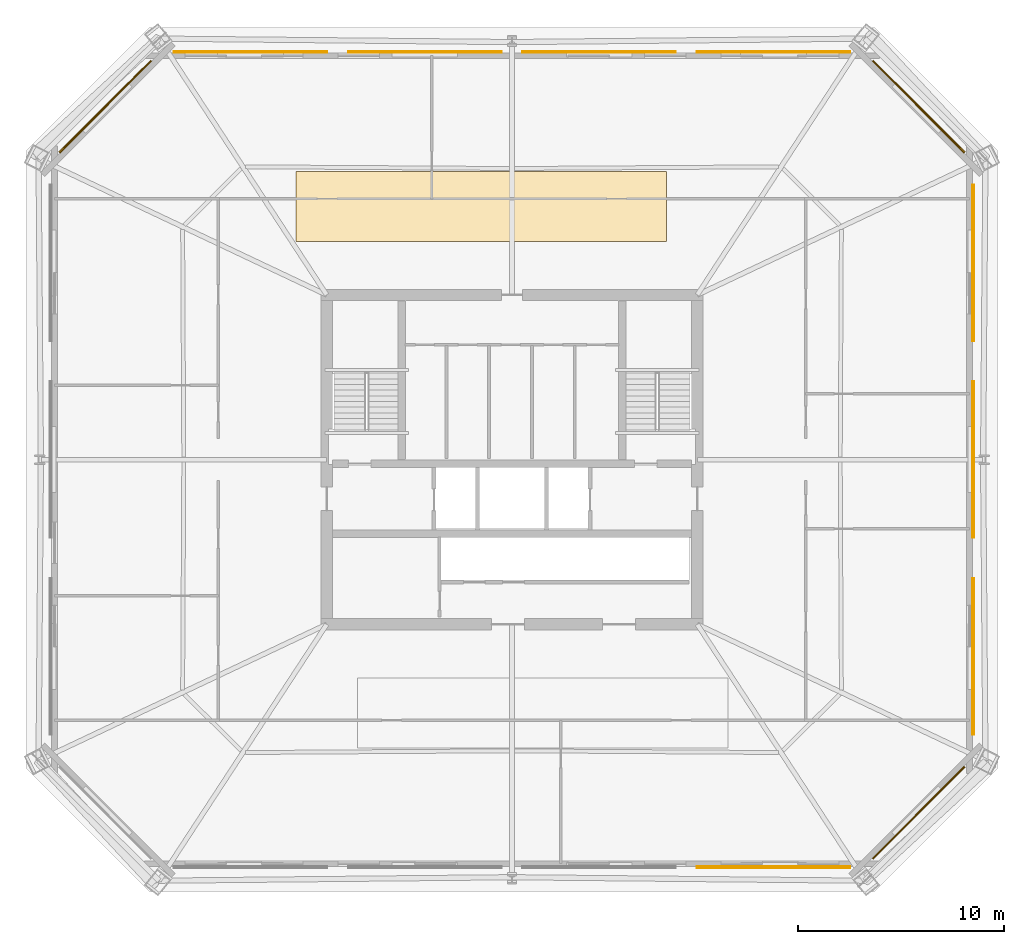
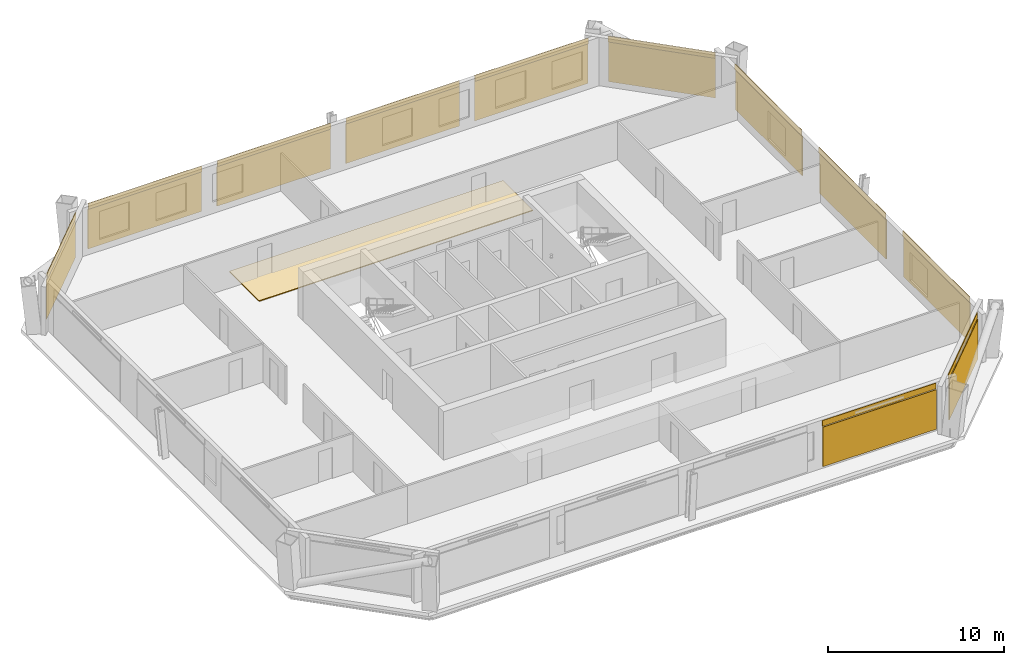
# One storey, part 7 of 7: 12 coverings, 11 shading devices.
"""IFC4 building model written with IfcOpenShell, lengths in metres."""

import ifcopenshell
import ifcopenshell.guid

model = None  # the IFC model being written
_history = None  # IfcOwnerHistory: only IFC2X3 demands one
_inside = {}  # id of a spatial element -> (the spatial element, [elements in it])
_under = {}  # id of a project, library or spatial element -> (it, [spatial elements below it])
_declared = {}  # id of a project -> (the project, [libraries it declares])
_typed = {}  # id of a type object -> (the type object, [elements of that type])
_made_of = {}  # id of a material, layer set ... -> (it, [elements and type objects made of it])


def new_model(schema):
    """Start an empty IFC model of exactly this schema.

    Asked for "IFC4X3", IfcOpenShell would pick the latest addendum, in which some entities
    have other attributes; the version numbers below select the first issue.
    IFC2X3 requires an IfcOwnerHistory on every rooted entity: one is made here for all.
    """
    global model, _history
    if schema == "IFC4X3":
        model = ifcopenshell.file(schema_version=(4, 3, 0, 0))
    else:
        model = ifcopenshell.file(schema=schema)
    _inside.clear()
    _under.clear()
    _declared.clear()
    _typed.clear()
    _made_of.clear()
    _history = None
    if model.schema == "IFC2X3":
        org = make("IfcOrganization", Name="unknown")
        user = make(
            "IfcPersonAndOrganization",
            ThePerson=make("IfcPerson", FamilyName="unknown"),
            TheOrganization=org,
        )
        app = make(
            "IfcApplication",
            ApplicationDeveloper=org,
            Version="unknown",
            ApplicationFullName="unknown",
            ApplicationIdentifier="unknown",
        )
        _history = make(
            "IfcOwnerHistory",
            OwningUser=user,
            OwningApplication=app,
            ChangeAction="ADDED",
            CreationDate=0,
        )
    return model


def make(cls, **values):
    """One entity of the class cls with the attributes given. An attribute that is None is left unset."""
    return model.create_entity(
        cls, **{name: value for name, value in values.items() if value is not None}
    )


def rooted(cls, **values):
    """An entity with a GlobalId (a new one), such as an element, a storey or a relation."""
    return make(cls, GlobalId=ifcopenshell.guid.new(), OwnerHistory=_history, **values)


def si_unit(unit_type, name, prefix=None):
    """IfcSIUnit, for example si_unit("LENGTHUNIT", "METRE", prefix="MILLI")."""
    return make("IfcSIUnit", UnitType=unit_type, Prefix=prefix, Name=name)


def assignment(units):
    """IfcUnitAssignment: the units of a project."""
    return None if units is None else make("IfcUnitAssignment", Units=units)


def point(xyz):
    """IfcCartesianPoint."""
    return None if xyz is None else make("IfcCartesianPoint", Coordinates=xyz)


def direction(xyz):
    """IfcDirection."""
    return None if xyz is None else make("IfcDirection", DirectionRatios=xyz)


def frame(location, z_axis=None, x_axis=None):
    """IfcAxis2Placement3D, a coordinate frame: its origin and axes. An axis left out is left unset."""
    return make(
        "IfcAxis2Placement3D",
        Location=point(location),
        Axis=direction(z_axis),
        RefDirection=direction(x_axis),
    )


def frame_2d(location, x_axis=None):
    """IfcAxis2Placement2D, a coordinate frame in the plane: its origin and x axis."""
    return make(
        "IfcAxis2Placement2D", Location=point(location), RefDirection=direction(x_axis)
    )


def origin():
    """The frame at (0, 0, 0) with its axes left unset."""
    return frame((0.0, 0.0, 0.0))


def origin_2d():
    """The frame at (0, 0) in the plane with its x axis left unset."""
    return frame_2d((0.0, 0.0))


def place(relative_to, where):
    """IfcLocalPlacement: puts the frame where relative to a parent placement (None: the world)."""
    return make(
        "IfcLocalPlacement", PlacementRelTo=relative_to, RelativePlacement=where
    )


def context(
    kind, dimensions, precision=None, world=None, true_north=None, identifier=None
):
    """IfcGeometricRepresentationContext, for example the 3D "Model" context."""
    return make(
        "IfcGeometricRepresentationContext",
        ContextIdentifier=identifier,
        ContextType=kind,
        CoordinateSpaceDimension=dimensions,
        Precision=precision,
        WorldCoordinateSystem=world,
        TrueNorth=true_north,
    )


def subcontext(parent, identifier, kind, view, scale=None):
    """IfcGeometricRepresentationSubContext, for example "Body" below "Model"."""
    return make(
        "IfcGeometricRepresentationSubContext",
        ContextIdentifier=identifier,
        ContextType=kind,
        ParentContext=parent,
        TargetScale=scale,
        TargetView=view,
    )


def project(units=None, contexts=None):
    """IfcProject with its units and contexts."""
    return rooted(
        "IfcProject",
        Name="project",
        RepresentationContexts=contexts,
        UnitsInContext=assignment(units),
    )


def spatial(cls, under=None, at=None, **own):
    """A site, building, storey or space (cls), placed at a placement, below another one or the project."""
    s = rooted(cls, ObjectPlacement=at, **own)
    if under is not None:
        _under.setdefault(under.id(), (under, []))[1].append(s)
    return s


def polyline(points):
    """IfcPolyline through the points."""
    return make("IfcPolyline", Points=[point(p) for p in points])


def profile(cls, at=None, kind="AREA", **sizes):
    """A parametric profile (cls). Its sizes go by their IFC names, for example OverallWidth=200.0."""
    return make(cls, ProfileType=kind, Position=at, **sizes)


def rectangle(**sizes):
    """IfcRectangleProfileDef."""
    return profile("IfcRectangleProfileDef", **sizes)


def outline(outer, holes=None, kind="AREA"):
    """IfcArbitraryClosedProfileDef: a profile drawn as a closed curve; with holes, ...WithVoids."""
    if holes is None:
        return make("IfcArbitraryClosedProfileDef", ProfileType=kind, OuterCurve=outer)
    return make(
        "IfcArbitraryProfileDefWithVoids",
        ProfileType=kind,
        OuterCurve=outer,
        InnerCurves=holes,
    )


def extrude(swept, where, along, depth):
    """IfcExtrudedAreaSolid: the profile swept, set in the frame where, extruded along a direction by depth."""
    return make(
        "IfcExtrudedAreaSolid",
        SweptArea=swept,
        Position=where,
        ExtrudedDirection=direction(along),
        Depth=depth,
    )


def shape(context_of_items, identifier, shape_type, items):
    """IfcShapeRepresentation: the items that make up one representation, for example the "Body"."""
    return make(
        "IfcShapeRepresentation",
        ContextOfItems=context_of_items,
        RepresentationIdentifier=identifier,
        RepresentationType=shape_type,
        Items=items,
    )


def material(Name=None, Category=None):
    """IfcMaterial."""
    return make("IfcMaterial", Name=Name, Category=Category)


def layer(
    of_material, thickness, ventilated=None, Name=None, Category=None, Priority=None
):
    """IfcMaterialLayer: one layer of a wall or slab, of a material (None: an air gap)."""
    return make(
        "IfcMaterialLayer",
        Material=of_material,
        LayerThickness=thickness,
        IsVentilated=ventilated,
        Name=Name,
        Category=Category,
        Priority=Priority,
    )


def layer_set(layers, Name=None):
    """IfcMaterialLayerSet."""
    return make("IfcMaterialLayerSet", MaterialLayers=layers, LayerSetName=Name)


def made_of(thing, what):
    """Note that an element or type object is made of a material, layer set ...; save() writes the relation."""
    if what is not None:
        _made_of.setdefault(what.id(), (what, []))[1].append(thing)
    return thing


def type_object(cls, material=None, **own):
    """A type object (cls), such as IfcWallType, which elements share."""
    return made_of(rooted(cls, **own), material)


def element(
    cls,
    number,
    at=None,
    inside=None,
    cuts=None,
    type_object=None,
    material=None,
    context=None,
    identifier="Body",
    shape_type=None,
    held_by="IfcProductDefinitionShape",
    body=None,
    shapes=None,
    **own,
):
    """One element of the class cls, such as IfcWall. Its Tag is "e" and its number.

    at: its placement. inside: the storey or other place that contains it. cuts: it is an
    opening in that element (IfcRelVoidsElement). A single representation is given by context,
    identifier, shape_type and body (its items); several are given by shapes. held_by: the class
    of the entity that holds the representations. save() writes the other relations.
    """
    e = rooted(cls, Tag="e%d" % number, ObjectPlacement=at, **own)
    if body is not None:
        shapes = [shape(context, identifier, shape_type, body)]
    if shapes is not None:
        e.Representation = make(held_by, Representations=shapes)
    if inside is not None:
        _inside.setdefault(inside.id(), (inside, []))[1].append(e)
    if cuts is not None:
        rooted(
            "IfcRelVoidsElement", RelatingBuildingElement=cuts, RelatedOpeningElement=e
        )
    if type_object is not None:
        _typed.setdefault(type_object.id(), (type_object, []))[1].append(e)
    return made_of(e, material)


def aggregate(whole, parts):
    """IfcRelAggregates: a whole, such as a stair, and the parts it consists of."""
    return rooted("IfcRelAggregates", RelatingObject=whole, RelatedObjects=parts)


def save(model, path):
    """Write the relations noted so far, then the file.

    IfcRelAggregates (storeys below a building ...), IfcRelContainedInSpatialStructure (elements
    in a storey), IfcRelDefinesByType, IfcRelAssociatesMaterial and IfcRelDeclares: one each for
    every whole, place, type object, material and project.
    """
    for whole, parts in _under.values():
        aggregate(whole, parts)
    for where, things in _inside.values():
        rooted(
            "IfcRelContainedInSpatialStructure",
            RelatedElements=things,
            RelatingStructure=where,
        )
    for kind, things in _typed.values():
        rooted("IfcRelDefinesByType", RelatedObjects=things, RelatingType=kind)
    for what, things in _made_of.values():
        rooted("IfcRelAssociatesMaterial", RelatedObjects=things, RelatingMaterial=what)
    for by, libraries in _declared.values():
        rooted("IfcRelDeclares", RelatingContext=by, RelatedDefinitions=libraries)
    model.write(path)


model = new_model("IFC4")

# Units and contexts
model_context = context("Model", 3, precision=1e-05, world=origin(), true_north=direction((0.0, 1.0)))
body_context = subcontext(model_context, "Body", "Model", "MODEL_VIEW")
ifc_project = project(units=[si_unit("LENGTHUNIT", "METRE"), si_unit("AREAUNIT", "SQUARE_METRE"), si_unit("VOLUMEUNIT", "CUBIC_METRE"), si_unit("PLANEANGLEUNIT", "RADIAN"), si_unit("MASSUNIT", "GRAM", prefix="KILO")], contexts=[model_context])

# Site, building, storey
site_placement = place(None, origin())
site = spatial("IfcSite", under=ifc_project, at=site_placement, CompositionType="ELEMENT")
building_placement = place(site_placement, origin())
building = spatial("IfcBuilding", under=site, at=building_placement, Name="Caelvoria Tower", CompositionType="ELEMENT")
storey_placement = place(building_placement, frame((0.0, 0.0, 124.0)))
storey = spatial("IfcBuildingStorey", under=building, at=storey_placement, Name="L32", CompositionType="ELEMENT", Elevation=124.0)

# Coverings
ifc_material_1 = material(Name="Perforated Architectural Bronze Cladding Screen", Category="bronze")
ifc_layer_1 = layer(ifc_material_1, 0.0400390625, Name="Perforated Architectural Bronze Cladding Screen")
ifc_layer_set_1 = layer_set([ifc_layer_1], Name="Perforated Bronze Louvre Cladding Band 40 - Perforated Architectural Bronze Cladding Screen")
covering_type_1 = type_object("IfcCoveringType", Name="Perforated Bronze Louvre Cladding Band 40", PredefinedType="CLADDING", material=ifc_layer_set_1)
covering_1_placement = place(storey_placement, frame((58.705078125, 12.22802734375, 2.93994140625), z_axis=(0.0, 0.0, 1.0), x_axis=(1.0, 0.0, 0.0)))
element("IfcCovering", 1, at=covering_1_placement, inside=storey, type_object=covering_type_1, Name="Perforated Bronze Screen Band L32-E0-03", PredefinedType="CLADDING", context=body_context, shape_type="SweptSolid", body=[
    extrude(rectangle(XDim=7.45361328125, YDim=0.0400390625, at=origin_2d()), origin(), (0.0, 0.0, 1.0), 0.39990234375),
])
covering_2_placement = place(storey_placement, frame((65.731689453125, 14.868408203125, 2.93994140625), z_axis=(0.0, 0.0, 1.0), x_axis=(0.707106781187, 0.707106781187, 0.0)))
element("IfcCovering", 2, at=covering_2_placement, inside=storey, type_object=covering_type_1, Name="Perforated Bronze Screen Band L32-E1-00", PredefinedType="CLADDING", context=body_context, shape_type="SweptSolid", body=[
    extrude(rectangle(XDim=6.305419921875, YDim=0.0400390625, at=origin_2d()), origin(), (0.0, 0.0, 1.0), 0.39990234375),
])
for number, where, z_axis, x_axis, name in (
    (3, (68.3720703125, 22.43994140625, 2.93994140625), (0.0, 0.0, 1.0), (0.0, 1.0, 0.0), "Perforated Bronze Screen Band L32-E2-00"),
    (4, (68.3720703125, 32.0, 2.93994140625), (0.0, 0.0, 1.0), (0.0, 1.0, 0.0), "Perforated Bronze Screen Band L32-E2-01"),
    (5, (68.3720703125, 41.56005859375, 2.93994140625), (0.0, 0.0, 1.0), (0.0, 1.0, 0.0), "Perforated Bronze Screen Band L32-E2-02"),
):
    element("IfcCovering", number, at=place(storey_placement, frame(where, z_axis=z_axis, x_axis=x_axis)), inside=storey, type_object=covering_type_1, Name=name, PredefinedType="CLADDING", context=body_context, shape_type="SweptSolid", body=[
        extrude(rectangle(XDim=7.60009765625, YDim=0.0400390625, at=origin_2d()), origin(), (0.0, 0.0, 1.0), 0.39990234375),
    ])
covering_3_placement = place(storey_placement, frame((65.731689453125, 49.131591796875, 2.93994140625), z_axis=(0.0, 0.0, 1.0), x_axis=(-0.707106781187, 0.707106781187, 0.0)))
element("IfcCovering", 6, at=covering_3_placement, inside=storey, type_object=covering_type_1, Name="Perforated Bronze Screen Band L32-E3-00", PredefinedType="CLADDING", context=body_context, shape_type="SweptSolid", body=[
    extrude(rectangle(XDim=6.305419921875, YDim=0.0400390625, at=origin_2d()), origin(), (0.0, 0.0, 1.0), 0.39990234375),
])
for number, where, z_axis, x_axis, name in (
    (7, (58.705078125, 51.77197265625, 2.93994140625), (0.0, 0.0, 1.0), (-1.0, 0.0, 0.0), "Perforated Bronze Screen Band L32-E4-00"),
    (8, (50.235107421875, 51.77197265625, 2.93994140625), (0.0, 0.0, 1.0), (-1.0, 0.0, 0.0), "Perforated Bronze Screen Band L32-E4-01"),
    (9, (41.764892578125, 51.77197265625, 2.93994140625), (0.0, 0.0, 1.0), (-1.0, 0.0, 0.0), "Perforated Bronze Screen Band L32-E4-02"),
    (10, (33.294921875, 51.77197265625, 2.93994140625), (0.0, 0.0, 1.0), (-1.0, 0.0, 0.0), "Perforated Bronze Screen Band L32-E4-03"),
):
    element("IfcCovering", number, at=place(storey_placement, frame(where, z_axis=z_axis, x_axis=x_axis)), inside=storey, type_object=covering_type_1, Name=name, PredefinedType="CLADDING", context=body_context, shape_type="SweptSolid", body=[
        extrude(rectangle(XDim=7.45361328125, YDim=0.0400390625, at=origin_2d()), origin(), (0.0, 0.0, 1.0), 0.39990234375),
    ])
covering_4_placement = place(storey_placement, frame((26.268310546875, 49.131591796875, 2.93994140625), z_axis=(0.0, 0.0, 1.0), x_axis=(-0.707106781187, -0.707106781187, 0.0)))
element("IfcCovering", 11, at=covering_4_placement, inside=storey, type_object=covering_type_1, Name="Perforated Bronze Screen Band L32-E5-00", PredefinedType="CLADDING", context=body_context, shape_type="SweptSolid", body=[
    extrude(rectangle(XDim=6.305419921875, YDim=0.0400390625, at=origin_2d()), origin(), (0.0, 0.0, 1.0), 0.39990234375),
])

# Shading devices
ifc_material_2 = material(Name="Perforated Architectural Bronze Alloy Panel", Category="bronze")
ifc_layer_2 = layer(ifc_material_2, 0.044921875, Name="Perforated Architectural Bronze Alloy Panel")
ifc_layer_set_2 = layer_set([ifc_layer_2], Name="Perforated Bronze Solar Screen Panel SCREEN - Perforated Architectural Bronze Alloy Panel")
shading_device_type = type_object("IfcShadingDeviceType", Name="Perforated Bronze Solar Screen Panel SCREEN", PredefinedType="USERDEFINED", material=ifc_layer_set_2)
shading_device_1_placement = place(storey_placement, frame((58.705078125, 12.18505859375, 0.159912109375), z_axis=(0.0, 0.0, 1.0), x_axis=(1.0, 0.0, 0.0)))
element("IfcShadingDevice", 12, at=shading_device_1_placement, inside=storey, type_object=shading_device_type, Name="Perforated Bronze Solar Screen L32-E0-03", ObjectType="SCREEN", PredefinedType="USERDEFINED", context=body_context, shape_type="SweptSolid", body=[
    extrude(rectangle(XDim=7.45361328125, YDim=0.044921875, at=origin_2d()), origin(), (0.0, 0.0, 1.0), 2.75),
])
shading_device_2_placement = place(storey_placement, frame((65.76220703125, 14.837890625, 0.159912109375), z_axis=(0.0, 0.0, 1.0), x_axis=(0.707106781187, 0.707106781187, 0.0)))
element("IfcShadingDevice", 13, at=shading_device_2_placement, inside=storey, type_object=shading_device_type, Name="Perforated Bronze Solar Screen L32-E1-00", ObjectType="SCREEN", PredefinedType="USERDEFINED", context=body_context, shape_type="SweptSolid", body=[
    extrude(rectangle(XDim=6.305419921875, YDim=0.044921875, at=origin_2d()), origin(), (0.0, 0.0, 1.0), 2.75),
])
for number, where, z_axis, x_axis, name in (
    (14, (68.4150390625, 22.43994140625, 0.159912109375), (0.0, 0.0, 1.0), (0.0, 1.0, 0.0), "Perforated Bronze Solar Screen L32-E2-00"),
    (15, (68.4150390625, 32.0, 0.159912109375), (0.0, 0.0, 1.0), (0.0, 1.0, 0.0), "Perforated Bronze Solar Screen L32-E2-01"),
    (16, (68.4150390625, 41.56005859375, 0.159912109375), (0.0, 0.0, 1.0), (0.0, 1.0, 0.0), "Perforated Bronze Solar Screen L32-E2-02"),
):
    element("IfcShadingDevice", number, at=place(storey_placement, frame(where, z_axis=z_axis, x_axis=x_axis)), inside=storey, type_object=shading_device_type, Name=name, ObjectType="SCREEN", PredefinedType="USERDEFINED", context=body_context, shape_type="SweptSolid", body=[
        extrude(rectangle(XDim=7.60009765625, YDim=0.044921875, at=origin_2d()), origin(), (0.0, 0.0, 1.0), 2.75),
    ])
shading_device_3_placement = place(storey_placement, frame((65.76220703125, 49.162109375, 0.159912109375), z_axis=(0.0, 0.0, 1.0), x_axis=(-0.707106781187, 0.707106781187, 0.0)))
element("IfcShadingDevice", 17, at=shading_device_3_placement, inside=storey, type_object=shading_device_type, Name="Perforated Bronze Solar Screen L32-E3-00", ObjectType="SCREEN", PredefinedType="USERDEFINED", context=body_context, shape_type="SweptSolid", body=[
    extrude(rectangle(XDim=6.305419921875, YDim=0.044921875, at=origin_2d()), origin(), (0.0, 0.0, 1.0), 2.75),
])
for number, where, z_axis, x_axis, name in (
    (18, (58.705078125, 51.81494140625, 0.159912109375), (0.0, 0.0, 1.0), (-1.0, 0.0, 0.0), "Perforated Bronze Solar Screen L32-E4-00"),
    (19, (50.235107421875, 51.81494140625, 0.159912109375), (0.0, 0.0, 1.0), (-1.0, 0.0, 0.0), "Perforated Bronze Solar Screen L32-E4-01"),
    (20, (41.764892578125, 51.81494140625, 0.159912109375), (0.0, 0.0, 1.0), (-1.0, 0.0, 0.0), "Perforated Bronze Solar Screen L32-E4-02"),
    (21, (33.294921875, 51.81494140625, 0.159912109375), (0.0, 0.0, 1.0), (-1.0, 0.0, 0.0), "Perforated Bronze Solar Screen L32-E4-03"),
):
    element("IfcShadingDevice", number, at=place(storey_placement, frame(where, z_axis=z_axis, x_axis=x_axis)), inside=storey, type_object=shading_device_type, Name=name, ObjectType="SCREEN", PredefinedType="USERDEFINED", context=body_context, shape_type="SweptSolid", body=[
        extrude(rectangle(XDim=7.45361328125, YDim=0.044921875, at=origin_2d()), origin(), (0.0, 0.0, 1.0), 2.75),
    ])
shading_device_4_placement = place(storey_placement, frame((26.23779296875, 49.162109375, 0.159912109375), z_axis=(0.0, 0.0, 1.0), x_axis=(-0.707106781187, -0.707106781187, 0.0)))
element("IfcShadingDevice", 22, at=shading_device_4_placement, inside=storey, type_object=shading_device_type, Name="Perforated Bronze Solar Screen L32-E5-00", ObjectType="SCREEN", PredefinedType="USERDEFINED", context=body_context, shape_type="SweptSolid", body=[
    extrude(rectangle(XDim=6.305419921875, YDim=0.044921875, at=origin_2d()), origin(), (0.0, 0.0, 1.0), 2.75),
])

# Covering
ifc_material_3 = material(Name="Calcium-Sulphate Raised Floor Tile", Category="gypsum")
ifc_layer_3 = layer(ifc_material_3, 0.06005859375, Name="Calcium-Sulphate Raised Floor Tile")
ifc_layer_set_3 = layer_set([ifc_layer_3], Name="Raised Access Office Floor System 120 - Calcium-Sulphate Raised Floor Tile")
covering_type_2 = type_object("IfcCoveringType", Name="Raised Access Office Floor System 120", PredefinedType="FLOORING", material=ifc_layer_set_3)
covering_5_placement = place(storey_placement, origin())
element("IfcCovering", 23, at=covering_5_placement, inside=storey, type_object=covering_type_2, Name="Raised Access Flooring L32", PredefinedType="FLOORING", context=body_context, shape_type="SweptSolid", body=[
    extrude(outline(polyline([(35.5, 42.60009765625), (53.5, 42.60009765625), (53.5, 46.0), (35.5, 46.0), (35.5, 42.60009765625)])), origin(), (0.0, 0.0, 1.0), 0.06005859375),
])

save(model, "model.ifc")
